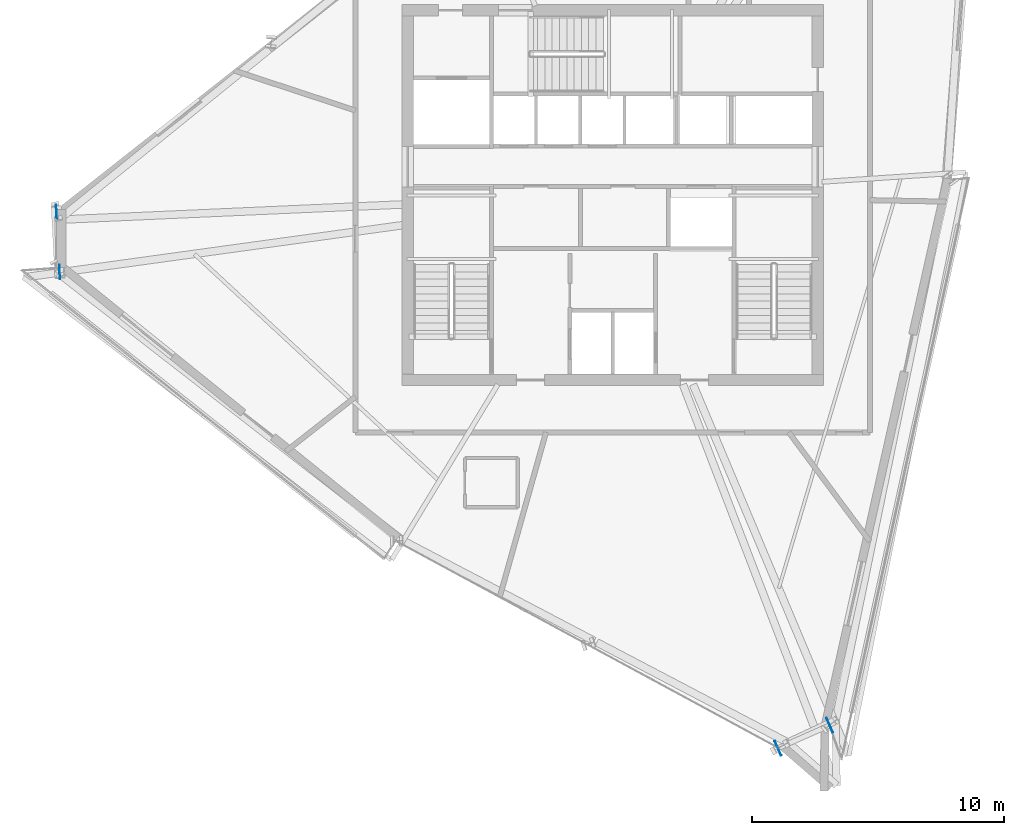
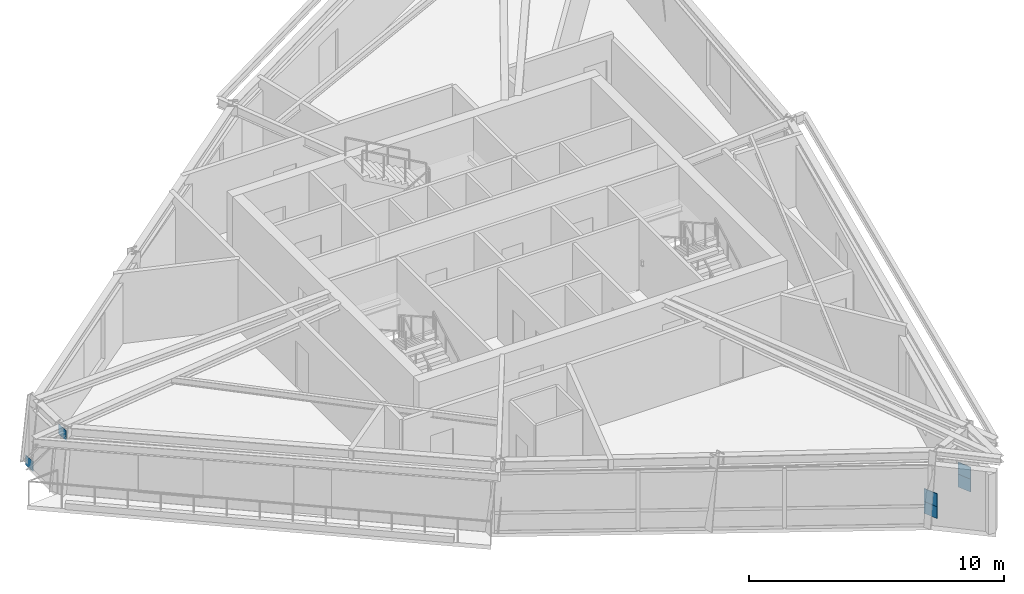
# One storey, part 8 of 15: 6 plates.
"""IFC4 building model written with IfcOpenShell, lengths in metres."""

from ifc_helpers import new_model, si_unit, direction, frame, origin, origin_2d, place, context, subcontext, project, spatial, rectangle, extrude, source, transform, mapped, material, type_object, element, save


model = new_model("IFC4")

# Units and contexts
model_context = context("Model", 3, precision=1e-05, world=origin(), true_north=direction((0.0, 1.0)))
body_context = subcontext(model_context, "Body", "Model", "MODEL_VIEW")
ifc_project = project(units=[si_unit("LENGTHUNIT", "METRE"), si_unit("AREAUNIT", "SQUARE_METRE"), si_unit("VOLUMEUNIT", "CUBIC_METRE"), si_unit("PLANEANGLEUNIT", "RADIAN"), si_unit("MASSUNIT", "GRAM", prefix="KILO")], contexts=[model_context])

# Site, building, storey
site_placement = place(None, origin())
site = spatial("IfcSite", under=ifc_project, at=site_placement, CompositionType="ELEMENT")
building_placement = place(site_placement, origin())
building = spatial("IfcBuilding", under=site, at=building_placement, Name="Olszyna Solenne Hotel", CompositionType="ELEMENT")
storey_placement = place(building_placement, frame((0.0, 0.0, 270.5)))
storey = spatial("IfcBuildingStorey", under=building, at=storey_placement, Name="L72", CompositionType="ELEMENT", Elevation=270.5)

# Plates
ifc_material_1 = material(Name="Steel S460M", Category="steel")
plate_type_1 = type_object("IfcPlateType", Name="GP-CAP2", PredefinedType="USERDEFINED", material=ifc_material_1)
shared_shape_1 = source(origin(), body_context, "Body", "SweptSolid", [
    extrude(rectangle(XDim=0.030029296875, YDim=0.6201171875, at=origin_2d()), origin(), (0.0, 0.0, 1.0), 0.6201171875),
])
for number, where, z_axis, x_axis, name in (
    (1, (44.552978515625, 4.677734375, 1.0400390625), (0.0, 0.0, 1.0), (0.914253955234, 0.40514158678, 0.0), "Hollow section end-cap plate GP-CAP2 CP-PR-M-L72-PR1-1"),
    (2, (46.603271484375, 5.586181640625, 1.0400390625), (0.0, 0.0, 1.0), (0.914253955234, 0.40514158678, 0.0), "Hollow section end-cap plate GP-CAP2 CP-PR-M-L72-PR1-2"),
    (3, (44.552978515625, 4.677734375, 0.469970703125), (0.0, 0.0, 1.0), (0.914253955234, 0.40514158678, 0.0), "Hollow section end-cap plate GP-CAP2 CP-PR-M-L72-PR2-1"),
    (4, (46.603271484375, 5.586181640625, 0.469970703125), (0.0, 0.0, 1.0), (0.914253955234, 0.40514158678, 0.0), "Hollow section end-cap plate GP-CAP2 CP-PR-M-L72-PR2-2"),
):
    element("IfcPlate", number, at=place(storey_placement, frame(where, z_axis=z_axis, x_axis=x_axis)), inside=storey, type_object=plate_type_1, Name=name, ObjectType="GUSSET_PLATE", PredefinedType="USERDEFINED", context=body_context, shape_type="MappedRepresentation", body=[
        mapped(shared_shape_1, transform((0.0, 0.0, 0.0), x_axis=(1.0, 0.0, 0.0), y_axis=(0.0, 1.0, 0.0), z_axis=(0.0, 0.0, 1.0), scale=1.0)),
    ])
ifc_material_2 = material(Name="Steel S355J2", Category="steel")
plate_type_2 = type_object("IfcPlateType", Name="GP-ND2", PredefinedType="USERDEFINED", material=ifc_material_2)
shared_shape_2 = source(origin(), body_context, "Body", "SweptSolid", [
    extrude(rectangle(XDim=0.56005859375, YDim=0.02001953125, at=origin_2d()), origin(), (0.0, 0.0, 1.0), 0.47998046875),
])
for number, where, z_axis, x_axis, name in (
    (5, (15.952880859375, 25.93505859375, -0.1220703125), (0.0, 0.0, 1.0), (0.053033118368, -0.998592754007, 0.0), "Brace end connection gusset plate GP-ND2 EP-BR-L72-2-1"),
    (6, (16.07958984375, 23.552978515625, 2.75732421875), (0.0, 0.0, 1.0), (0.053033118368, -0.998592754007, 0.0), "Brace end connection gusset plate GP-ND2 EP-BR-L72-2-2"),
):
    element("IfcPlate", number, at=place(storey_placement, frame(where, z_axis=z_axis, x_axis=x_axis)), inside=storey, type_object=plate_type_2, Name=name, ObjectType="GUSSET_PLATE", PredefinedType="USERDEFINED", context=body_context, shape_type="MappedRepresentation", body=[
        mapped(shared_shape_2, transform((0.0, 0.0, 0.0), x_axis=(1.0, 0.0, 0.0), y_axis=(0.0, 1.0, 0.0), z_axis=(0.0, 0.0, 1.0), scale=1.0)),
    ])

save(model, "model.ifc")
